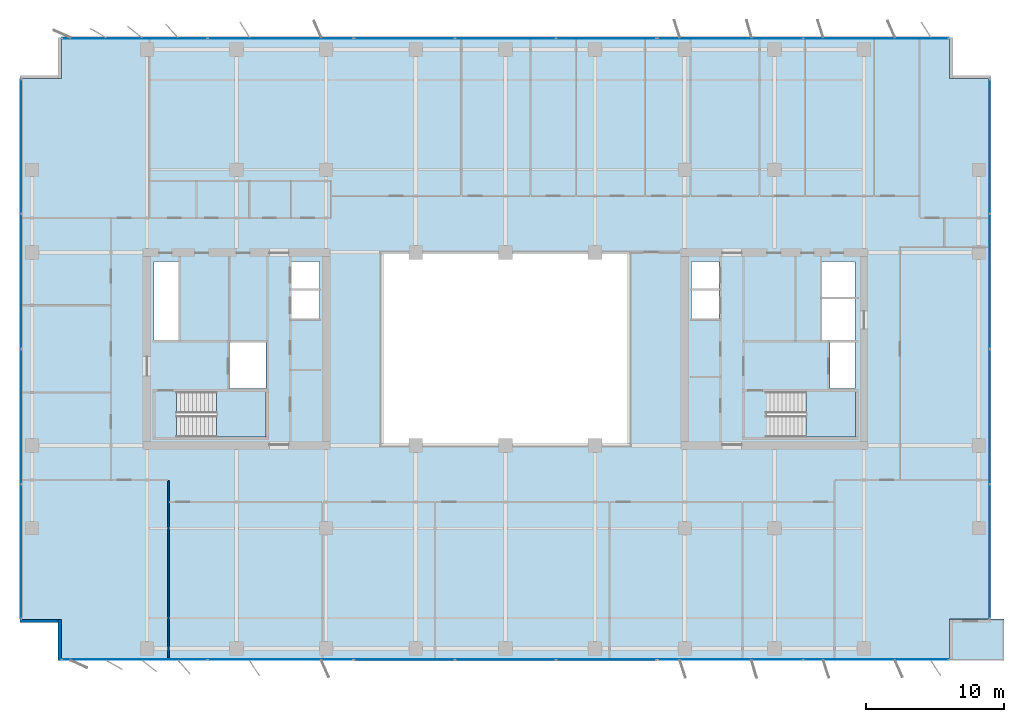
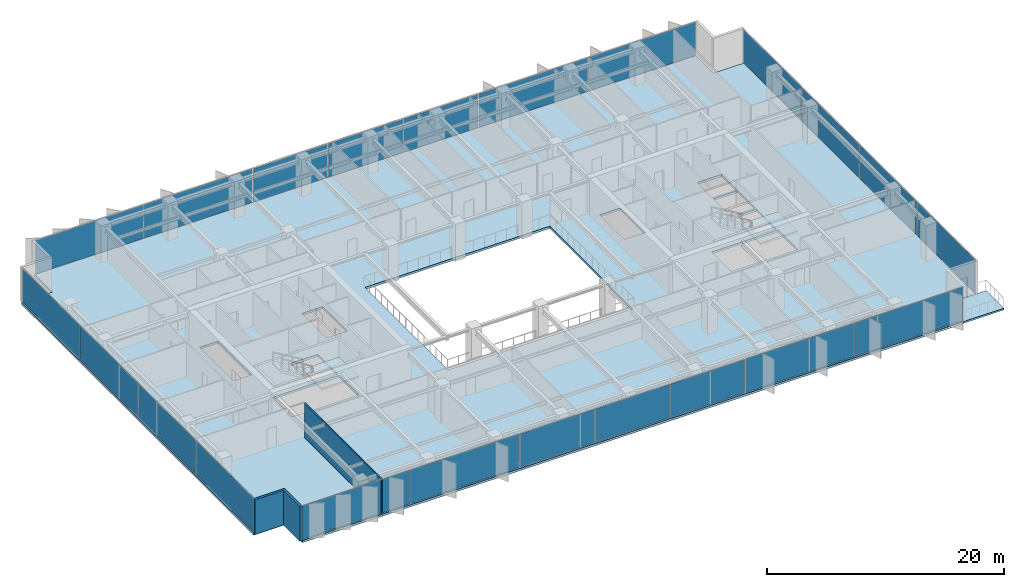
# One storey, part 14 of 22: 22 plates, 4 slabs, 3 walls, 10 elements without a shape of their own.
"""IFC4 building model written with IfcOpenShell, lengths in metres."""

from ifc_helpers import new_model, si_unit, direction, frame, frame_2d, origin, origin_2d, place, context, subcontext, project, spatial, polyline, rectangle, outline, extrude, material, layer, layer_set, type_object, element, aggregate, save


model = new_model("IFC4")

# Units and contexts
model_context = context("Model", 3, precision=1e-05, world=origin(), true_north=direction((0.0, 1.0)))
body_context = subcontext(model_context, "Body", "Model", "MODEL_VIEW")
ifc_project = project(units=[si_unit("LENGTHUNIT", "METRE"), si_unit("AREAUNIT", "SQUARE_METRE"), si_unit("VOLUMEUNIT", "CUBIC_METRE"), si_unit("PLANEANGLEUNIT", "RADIAN"), si_unit("MASSUNIT", "GRAM", prefix="KILO")], contexts=[model_context])

# Site, building, storey
site_placement = place(None, origin())
site = spatial("IfcSite", under=ifc_project, at=site_placement, CompositionType="ELEMENT")
building_placement = place(site_placement, origin())
building = spatial("IfcBuilding", under=site, at=building_placement, Name="Putna Gate Headquarters", CompositionType="ELEMENT")
storey_placement = place(building_placement, frame((0.0, 0.0, 186.0)))
storey = spatial("IfcBuildingStorey", under=building, at=storey_placement, Name="L46", CompositionType="ELEMENT", Elevation=186.0)

# Stair, slab
ifc_material_1 = material(Name="Concrete C40/50", Category="concrete")
stair_type_1 = type_object("IfcStairType", Name="STAIR-ST1", PredefinedType="HALF_TURN_STAIR", material=ifc_material_1)
stair_1_placement = place(storey_placement, origin())
stair_1 = element("IfcStair", 1, at=stair_1_placement, inside=storey, type_object=stair_type_1, Name="L46 West Core Exit Stair ST1", PredefinedType="HALF_TURN_STAIR")
ifc_layer_1 = layer(ifc_material_1, 0.199951171875)
ifc_layer_set_1 = layer_set([ifc_layer_1], Name="Concrete C40/50")
slab_type_1 = type_object("IfcSlabType", Name="LANDING-ST1", PredefinedType="LANDING", material=ifc_layer_set_1)
slab_1_placement = place(storey_placement, frame((0.0, 0.0, 1.699951171875)))
slab_1 = element("IfcSlab", 2, at=slab_1_placement, type_object=slab_type_1, Name="ST1 landing 1", PredefinedType="LANDING", context=body_context, shape_type="SweptSolid", body=[
    extrude(outline(polyline([(18.050048828125, 19.60009765625), (21.64990234375, 19.60009765625), (21.64990234375, 22.89990234375), (18.050048828125, 22.89990234375), (18.050048828125, 19.60009765625)])), origin(), (0.0, 0.0, 1.0), 0.199951171875),
])
aggregate(stair_1, [slab_1])

stair_type_2 = type_object("IfcStairType", Name="STAIR-ST2", PredefinedType="HALF_TURN_STAIR", material=ifc_material_1)
stair_2_placement = place(storey_placement, origin())
stair_2 = element("IfcStair", 3, at=stair_2_placement, inside=storey, type_object=stair_type_2, Name="L46 East Core Exit Stair ST2", PredefinedType="HALF_TURN_STAIR")
ifc_layer_2 = layer(ifc_material_1, 0.199951171875)
ifc_layer_set_2 = layer_set([ifc_layer_2], Name="Concrete C40/50")
slab_type_2 = type_object("IfcSlabType", Name="LANDING-ST2", PredefinedType="LANDING", material=ifc_layer_set_2)
slab_2_placement = place(storey_placement, frame((0.0, 0.0, 1.699951171875)))
slab_2 = element("IfcSlab", 4, at=slab_2_placement, type_object=slab_type_2, Name="ST2 landing 1", PredefinedType="LANDING", context=body_context, shape_type="SweptSolid", body=[
    extrude(outline(polyline([(60.800048828125, 19.60009765625), (64.39990234375, 19.60009765625), (64.39990234375, 22.89990234375), (60.800048828125, 22.89990234375), (60.800048828125, 19.60009765625)])), origin(), (0.0, 0.0, 1.0), 0.199951171875),
])
aggregate(stair_2, [slab_2])

# Curtain wall, plates
ifc_material_2 = material(Name="Anodised bronze aluminium curtain wall", Category="aluminium")
ifc_layer_3 = layer(ifc_material_2, 0.159912109375)
ifc_layer_set_3 = layer_set([ifc_layer_3], Name="Anodised bronze aluminium curtain wall")
curtain_wall_type_1 = type_object("IfcCurtainWallType", Name="CW-SYS-Z3", PredefinedType="USERDEFINED", material=ifc_layer_set_3)
curtain_wall_1_placement = place(storey_placement, origin())
curtain_wall_1 = element("IfcCurtainWall", 5, at=curtain_wall_1_placement, inside=storey, type_object=curtain_wall_type_1, Name="L46 South West Curtain Wall", ObjectType="STICK CURTAIN WALL", PredefinedType="USERDEFINED")
ifc_material_3 = material(Name="Solar-control triple low-E glass", Category="glass")
ifc_layer_4 = layer(ifc_material_3, 0.028076171875)
ifc_layer_set_4 = layer_set([ifc_layer_4], Name="Solar-control triple low-E glass")
plate_type_1 = type_object("IfcPlateType", Name="PAN-CWP-3", PredefinedType="CURTAIN_PANEL", material=ifc_layer_set_4)
plate_1_placement = place(storey_placement, frame((12.1162109375, 3.47998046875, 0.06005859375), z_axis=(0.0, 0.0, 1.0), x_axis=(1.0, 0.0, 0.0)))
plate_1 = element("IfcPlate", 6, at=plate_1_placement, type_object=plate_type_1, Name="CWS-3 panel 1.1", PredefinedType="CURTAIN_PANEL", context=body_context, shape_type="SweptSolid", body=[
    extrude(rectangle(XDim=10.50244140625, YDim=0.028076171875, at=origin_2d()), origin(), (0.0, 0.0, 1.0), 3.451904296875),
])
plate_2_placement = place(storey_placement, frame((22.683837890625, 3.47998046875, 0.06005859375), z_axis=(0.0, 0.0, 1.0), x_axis=(1.0, 0.0, 0.0)))
plate_2 = element("IfcPlate", 7, at=plate_2_placement, type_object=plate_type_1, Name="CWS-3 panel 2.1", PredefinedType="CURTAIN_PANEL", context=body_context, shape_type="SweptSolid", body=[
    extrude(rectangle(XDim=10.50244140625, YDim=0.028076171875, at=origin_2d()), origin(), (0.0, 0.0, 1.0), 3.451904296875),
])
aggregate(curtain_wall_1, [plate_1, plate_2])

curtain_wall_2_placement = place(storey_placement, origin())
curtain_wall_2 = element("IfcCurtainWall", 8, at=curtain_wall_2_placement, inside=storey, type_object=curtain_wall_type_1, Name="L46 South East Curtain Wall", ObjectType="STICK CURTAIN WALL", PredefinedType="USERDEFINED")
plate_3_placement = place(storey_placement, frame((55.316162109375, 3.47998046875, 0.06005859375), z_axis=(0.0, 0.0, 1.0), x_axis=(1.0, 0.0, 0.0)))
plate_3 = element("IfcPlate", 9, at=plate_3_placement, type_object=plate_type_1, Name="CWS-3 panel 1.1", PredefinedType="CURTAIN_PANEL", context=body_context, shape_type="SweptSolid", body=[
    extrude(rectangle(XDim=10.50244140625, YDim=0.028076171875, at=origin_2d()), origin(), (0.0, 0.0, 1.0), 3.451904296875),
])
plate_4_placement = place(storey_placement, frame((65.8837890625, 3.47998046875, 0.06005859375), z_axis=(0.0, 0.0, 1.0), x_axis=(1.0, 0.0, 0.0)))
plate_4 = element("IfcPlate", 10, at=plate_4_placement, type_object=plate_type_1, Name="CWS-3 panel 2.1", PredefinedType="CURTAIN_PANEL", context=body_context, shape_type="SweptSolid", body=[
    extrude(rectangle(XDim=10.50244140625, YDim=0.028076171875, at=origin_2d()), origin(), (0.0, 0.0, 1.0), 3.451904296875),
])
aggregate(curtain_wall_2, [plate_3, plate_4])

curtain_wall_3_placement = place(storey_placement, origin())
curtain_wall_3 = element("IfcCurtainWall", 11, at=curtain_wall_3_placement, inside=storey, type_object=curtain_wall_type_1, Name="L46 North West Curtain Wall", ObjectType="STICK CURTAIN WALL", PredefinedType="USERDEFINED")
plate_5_placement = place(storey_placement, frame((12.1162109375, 48.52001953125, 0.06005859375), z_axis=(0.0, 0.0, 1.0), x_axis=(1.0, 0.0, 0.0)))
plate_5 = element("IfcPlate", 12, at=plate_5_placement, type_object=plate_type_1, Name="CWS-3 panel 1.1", PredefinedType="CURTAIN_PANEL", context=body_context, shape_type="SweptSolid", body=[
    extrude(rectangle(XDim=10.50244140625, YDim=0.028076171875, at=origin_2d()), origin(), (0.0, 0.0, 1.0), 3.451904296875),
])
plate_6_placement = place(storey_placement, frame((22.683837890625, 48.52001953125, 0.06005859375), z_axis=(0.0, 0.0, 1.0), x_axis=(1.0, 0.0, 0.0)))
plate_6 = element("IfcPlate", 13, at=plate_6_placement, type_object=plate_type_1, Name="CWS-3 panel 2.1", PredefinedType="CURTAIN_PANEL", context=body_context, shape_type="SweptSolid", body=[
    extrude(rectangle(XDim=10.50244140625, YDim=0.028076171875, at=origin_2d()), origin(), (0.0, 0.0, 1.0), 3.451904296875),
])
aggregate(curtain_wall_3, [plate_5, plate_6])

curtain_wall_4_placement = place(storey_placement, origin())
curtain_wall_4 = element("IfcCurtainWall", 14, at=curtain_wall_4_placement, inside=storey, type_object=curtain_wall_type_1, Name="L46 North East Curtain Wall", ObjectType="STICK CURTAIN WALL", PredefinedType="USERDEFINED")
plate_7_placement = place(storey_placement, frame((55.316162109375, 48.52001953125, 0.06005859375), z_axis=(0.0, 0.0, 1.0), x_axis=(1.0, 0.0, 0.0)))
plate_7 = element("IfcPlate", 15, at=plate_7_placement, type_object=plate_type_1, Name="CWS-3 panel 1.1", PredefinedType="CURTAIN_PANEL", context=body_context, shape_type="SweptSolid", body=[
    extrude(rectangle(XDim=10.50244140625, YDim=0.028076171875, at=origin_2d()), origin(), (0.0, 0.0, 1.0), 3.451904296875),
])
plate_8_placement = place(storey_placement, frame((65.8837890625, 48.52001953125, 0.06005859375), z_axis=(0.0, 0.0, 1.0), x_axis=(1.0, 0.0, 0.0)))
plate_8 = element("IfcPlate", 16, at=plate_8_placement, type_object=plate_type_1, Name="CWS-3 panel 2.1", PredefinedType="CURTAIN_PANEL", context=body_context, shape_type="SweptSolid", body=[
    extrude(rectangle(XDim=10.50244140625, YDim=0.028076171875, at=origin_2d()), origin(), (0.0, 0.0, 1.0), 3.451904296875),
])
aggregate(curtain_wall_4, [plate_7, plate_8])

curtain_wall_5_placement = place(storey_placement, origin())
curtain_wall_5 = element("IfcCurtainWall", 17, at=curtain_wall_5_placement, inside=storey, type_object=curtain_wall_type_1, Name="L46 West Curtain Wall", ObjectType="STICK CURTAIN WALL", PredefinedType="USERDEFINED")
plate_9_placement = place(storey_placement, frame((3.8798828125, 11.316162109375, 0.06005859375), z_axis=(0.0, 0.0, 1.0), x_axis=(0.0, 1.0, 0.0)))
plate_9 = element("IfcPlate", 18, at=plate_9_placement, type_object=plate_type_1, Name="CWS-3 panel 1.1", PredefinedType="CURTAIN_PANEL", context=body_context, shape_type="SweptSolid", body=[
    extrude(rectangle(XDim=9.702392578125, YDim=0.028076171875, at=origin_2d()), origin(), (0.0, 0.0, 1.0), 3.451904296875),
])
plate_10_placement = place(storey_placement, frame((3.8798828125, 21.10009765625, 0.06005859375), z_axis=(0.0, 0.0, 1.0), x_axis=(0.0, 1.0, 0.0)))
plate_10 = element("IfcPlate", 19, at=plate_10_placement, type_object=plate_type_1, Name="CWS-3 panel 2.1", PredefinedType="CURTAIN_PANEL", context=body_context, shape_type="SweptSolid", body=[
    extrude(rectangle(XDim=9.735107421875, YDim=0.028076171875, at=origin_2d()), origin(), (0.0, 0.0, 1.0), 3.451904296875),
])
plate_11_placement = place(storey_placement, frame((3.8798828125, 30.89990234375, 0.06005859375), z_axis=(0.0, 0.0, 1.0), x_axis=(0.0, 1.0, 0.0)))
plate_11 = element("IfcPlate", 20, at=plate_11_placement, type_object=plate_type_1, Name="CWS-3 panel 3.1", PredefinedType="CURTAIN_PANEL", context=body_context, shape_type="SweptSolid", body=[
    extrude(rectangle(XDim=9.735107421875, YDim=0.028076171875, at=origin_2d()), origin(), (0.0, 0.0, 1.0), 3.451904296875),
])
plate_12_placement = place(storey_placement, frame((3.8798828125, 40.683837890625, 0.06005859375), z_axis=(0.0, 0.0, 1.0), x_axis=(0.0, 1.0, 0.0)))
plate_12 = element("IfcPlate", 21, at=plate_12_placement, type_object=plate_type_1, Name="CWS-3 panel 4.1", PredefinedType="CURTAIN_PANEL", context=body_context, shape_type="SweptSolid", body=[
    extrude(rectangle(XDim=9.702392578125, YDim=0.028076171875, at=origin_2d()), origin(), (0.0, 0.0, 1.0), 3.451904296875),
])
aggregate(curtain_wall_5, [plate_9, plate_10, plate_11, plate_12])

curtain_wall_6_placement = place(storey_placement, origin())
curtain_wall_6 = element("IfcCurtainWall", 22, at=curtain_wall_6_placement, inside=storey, type_object=curtain_wall_type_1, Name="L46 East Curtain Wall", ObjectType="STICK CURTAIN WALL", PredefinedType="USERDEFINED")
plate_13_placement = place(storey_placement, frame((74.1201171875, 11.316162109375, 0.06005859375), z_axis=(0.0, 0.0, 1.0), x_axis=(0.0, 1.0, 0.0)))
plate_13 = element("IfcPlate", 23, at=plate_13_placement, type_object=plate_type_1, Name="CWS-3 panel 1.1", PredefinedType="CURTAIN_PANEL", context=body_context, shape_type="SweptSolid", body=[
    extrude(rectangle(XDim=9.702392578125, YDim=0.028076171875, at=origin_2d()), origin(), (0.0, 0.0, 1.0), 3.451904296875),
])
plate_14_placement = place(storey_placement, frame((74.1201171875, 21.10009765625, 0.06005859375), z_axis=(0.0, 0.0, 1.0), x_axis=(0.0, 1.0, 0.0)))
plate_14 = element("IfcPlate", 24, at=plate_14_placement, type_object=plate_type_1, Name="CWS-3 panel 2.1", PredefinedType="CURTAIN_PANEL", context=body_context, shape_type="SweptSolid", body=[
    extrude(rectangle(XDim=9.735107421875, YDim=0.028076171875, at=origin_2d()), origin(), (0.0, 0.0, 1.0), 3.451904296875),
])
plate_15_placement = place(storey_placement, frame((74.1201171875, 30.89990234375, 0.06005859375), z_axis=(0.0, 0.0, 1.0), x_axis=(0.0, 1.0, 0.0)))
plate_15 = element("IfcPlate", 25, at=plate_15_placement, type_object=plate_type_1, Name="CWS-3 panel 3.1", PredefinedType="CURTAIN_PANEL", context=body_context, shape_type="SweptSolid", body=[
    extrude(rectangle(XDim=9.735107421875, YDim=0.028076171875, at=origin_2d()), origin(), (0.0, 0.0, 1.0), 3.451904296875),
])
plate_16_placement = place(storey_placement, frame((74.1201171875, 40.683837890625, 0.06005859375), z_axis=(0.0, 0.0, 1.0), x_axis=(0.0, 1.0, 0.0)))
plate_16 = element("IfcPlate", 26, at=plate_16_placement, type_object=plate_type_1, Name="CWS-3 panel 4.1", PredefinedType="CURTAIN_PANEL", context=body_context, shape_type="SweptSolid", body=[
    extrude(rectangle(XDim=9.702392578125, YDim=0.028076171875, at=origin_2d()), origin(), (0.0, 0.0, 1.0), 3.451904296875),
])
aggregate(curtain_wall_6, [plate_13, plate_14, plate_15, plate_16])

ifc_layer_5 = layer(ifc_material_2, 0.179931640625)
ifc_layer_set_5 = layer_set([ifc_layer_5], Name="Anodised bronze aluminium curtain wall")
curtain_wall_type_2 = type_object("IfcCurtainWallType", Name="CW-SYS-ATR", PredefinedType="USERDEFINED", material=ifc_layer_set_5)
curtain_wall_7_placement = place(storey_placement, origin())
curtain_wall_7 = element("IfcCurtainWall", 27, at=curtain_wall_7_placement, inside=storey, type_object=curtain_wall_type_2, Name="L46 South Atrium Clear Glazing", ObjectType="ATRIUM GLAZING", PredefinedType="USERDEFINED")
ifc_material_4 = material(Name="Clear low-iron triple glazing", Category="glass")
ifc_layer_6 = layer(ifc_material_4, 0.0400390625)
ifc_layer_set_6 = layer_set([ifc_layer_6], Name="Clear low-iron triple glazing")
plate_type_2 = type_object("IfcPlateType", Name="PAN-CWP-AT", PredefinedType="CURTAIN_PANEL", material=ifc_layer_set_6)
plate_17_placement = place(storey_placement, frame((31.68408203125, 3.47998046875, 0.06982421875), z_axis=(0.0, 0.0, 1.0), x_axis=(1.0, 0.0, 0.0)))
plate_17 = element("IfcPlate", 28, at=plate_17_placement, type_object=plate_type_2, Name="CWS-AT panel 1.1", PredefinedType="CURTAIN_PANEL", context=body_context, shape_type="SweptSolid", body=[
    extrude(rectangle(XDim=7.228271484375, YDim=0.0400390625, at=origin_2d()), origin(), (0.0, 0.0, 1.0), 3.431884765625),
])
plate_18_placement = place(storey_placement, frame((39.0, 3.47998046875, 0.06982421875), z_axis=(0.0, 0.0, 1.0), x_axis=(1.0, 0.0, 0.0)))
plate_18 = element("IfcPlate", 29, at=plate_18_placement, type_object=plate_type_2, Name="CWS-AT panel 2.1", PredefinedType="CURTAIN_PANEL", context=body_context, shape_type="SweptSolid", body=[
    extrude(rectangle(XDim=7.263427734375, YDim=0.0400390625, at=origin_2d()), origin(), (0.0, 0.0, 1.0), 3.431884765625),
])
plate_19_placement = place(storey_placement, frame((46.31591796875, 3.47998046875, 0.06982421875), z_axis=(0.0, 0.0, 1.0), x_axis=(1.0, 0.0, 0.0)))
plate_19 = element("IfcPlate", 30, at=plate_19_placement, type_object=plate_type_2, Name="CWS-AT panel 3.1", PredefinedType="CURTAIN_PANEL", context=body_context, shape_type="SweptSolid", body=[
    extrude(rectangle(XDim=7.228271484375, YDim=0.0400390625, at=origin_2d()), origin(), (0.0, 0.0, 1.0), 3.431884765625),
])
aggregate(curtain_wall_7, [plate_17, plate_18, plate_19])

curtain_wall_8_placement = place(storey_placement, origin())
curtain_wall_8 = element("IfcCurtainWall", 31, at=curtain_wall_8_placement, inside=storey, type_object=curtain_wall_type_2, Name="L46 North Atrium Clear Glazing", ObjectType="ATRIUM GLAZING", PredefinedType="USERDEFINED")
plate_20_placement = place(storey_placement, frame((31.68408203125, 48.52001953125, 0.06982421875), z_axis=(0.0, 0.0, 1.0), x_axis=(1.0, 0.0, 0.0)))
plate_20 = element("IfcPlate", 32, at=plate_20_placement, type_object=plate_type_2, Name="CWS-AT panel 1.1", PredefinedType="CURTAIN_PANEL", context=body_context, shape_type="SweptSolid", body=[
    extrude(rectangle(XDim=7.228271484375, YDim=0.0400390625, at=origin_2d()), origin(), (0.0, 0.0, 1.0), 3.431884765625),
])
plate_21_placement = place(storey_placement, frame((39.0, 48.52001953125, 0.06982421875), z_axis=(0.0, 0.0, 1.0), x_axis=(1.0, 0.0, 0.0)))
plate_21 = element("IfcPlate", 33, at=plate_21_placement, type_object=plate_type_2, Name="CWS-AT panel 2.1", PredefinedType="CURTAIN_PANEL", context=body_context, shape_type="SweptSolid", body=[
    extrude(rectangle(XDim=7.263427734375, YDim=0.0400390625, at=origin_2d()), origin(), (0.0, 0.0, 1.0), 3.431884765625),
])
plate_22_placement = place(storey_placement, frame((46.31591796875, 48.52001953125, 0.06982421875), z_axis=(0.0, 0.0, 1.0), x_axis=(1.0, 0.0, 0.0)))
plate_22 = element("IfcPlate", 34, at=plate_22_placement, type_object=plate_type_2, Name="CWS-AT panel 3.1", PredefinedType="CURTAIN_PANEL", context=body_context, shape_type="SweptSolid", body=[
    extrude(rectangle(XDim=7.228271484375, YDim=0.0400390625, at=origin_2d()), origin(), (0.0, 0.0, 1.0), 3.431884765625),
])
aggregate(curtain_wall_8, [plate_20, plate_21, plate_22])

# Slabs
ifc_layer_7 = layer(ifc_material_1, 0.179931640625)
ifc_layer_set_7 = layer_set([ifc_layer_7], Name="Concrete C40/50")
slab_type_3 = type_object("IfcSlabType", Name="SLAB-TERRACE-180", PredefinedType="FLOOR", material=ifc_layer_set_7)
slab_3_placement = place(storey_placement, frame((0.0, 0.0, -0.179931640625)))
element("IfcSlab", 35, at=slab_3_placement, inside=storey, type_object=slab_type_3, Name="L46 Spiral Sky-Garden Terrace Slab (SE)", PredefinedType="FLOOR", context=body_context, shape_type="SweptSolid", body=[
    extrude(outline(polyline([(71.19189453125, 3.39990234375), (75.14990234375, 3.39990234375), (75.14990234375, 6.407958984375), (71.19189453125, 6.407958984375), (71.19189453125, 3.39990234375)])), origin(), (0.0, 0.0, 1.0), 0.179931640625),
])
ifc_layer_8 = layer(ifc_material_1, 0.22802734375)
ifc_layer_set_8 = layer_set([ifc_layer_8], Name="Concrete C40/50")
slab_type_4 = type_object("IfcSlabType", Name="SLAB-Z3-228", PredefinedType="FLOOR", material=ifc_layer_set_8)
slab_4_placement = place(storey_placement, frame((0.0, 0.0, -0.22802734375)))
element("IfcSlab", 36, at=slab_4_placement, inside=storey, type_object=slab_type_4, Name="L46 Composite Floor Slab", PredefinedType="FLOOR", context=body_context, shape_type="SweptSolid", body=[
    extrude(outline(polyline([(6.800048828125, 3.39990234375), (71.199951171875, 3.39990234375), (71.199951171875, 6.39990234375), (74.199951171875, 6.39990234375), (74.199951171875, 45.60009765625), (71.199951171875, 45.60009765625), (71.199951171875, 48.60009765625), (6.800048828125, 48.60009765625), (6.800048828125, 45.60009765625), (3.800048828125, 45.60009765625), (3.800048828125, 6.39990234375), (6.800048828125, 6.39990234375), (6.800048828125, 3.39990234375)]), holes=[polyline([(15.1650390625, 19.60009765625), (21.64990234375, 19.60009765625), (21.64990234375, 22.89990234375), (15.1650390625, 22.89990234375), (15.1650390625, 19.60009765625)]), polyline([(57.9150390625, 19.60009765625), (64.39990234375, 19.60009765625), (64.39990234375, 22.89990234375), (57.9150390625, 22.89990234375), (57.9150390625, 19.60009765625)]), polyline([(13.52001953125, 26.659912109375), (15.280029296875, 26.659912109375), (15.280029296875, 32.35009765625), (13.52001953125, 32.35009765625), (13.52001953125, 26.659912109375)]), polyline([(61.969970703125, 29.780029296875), (64.35009765625, 29.780029296875), (64.35009765625, 32.35009765625), (61.969970703125, 32.35009765625), (61.969970703125, 29.780029296875)]), polyline([(18.97998046875, 23.1201171875), (21.6201171875, 23.1201171875), (21.6201171875, 26.4599609375), (18.97998046875, 26.4599609375), (18.97998046875, 23.1201171875)]), polyline([(62.52001953125, 23.1201171875), (64.35009765625, 23.1201171875), (64.35009765625, 26.4599609375), (62.52001953125, 26.4599609375), (62.52001953125, 23.1201171875)]), polyline([(61.969970703125, 26.659912109375), (64.35009765625, 26.659912109375), (64.35009765625, 29.6201171875), (61.969970703125, 29.6201171875), (61.969970703125, 26.659912109375)]), polyline([(23.5, 28.199951171875), (25.5, 28.199951171875), (25.5, 32.35009765625), (23.5, 32.35009765625), (23.5, 28.199951171875)]), polyline([(52.47998046875, 28.199951171875), (54.5, 28.199951171875), (54.5, 32.35009765625), (52.47998046875, 32.35009765625), (52.47998046875, 28.199951171875)]), polyline([(30.0, 19.0), (48.0, 19.0), (48.0, 33.0), (30.0, 33.0), (30.0, 19.0)])]), origin(), (0.0, 0.0, 1.0), 0.22802734375),
])

# Walls
ifc_material_5 = material(Name="Precast concrete C40/50", Category="concrete")
ifc_layer_9 = layer(ifc_material_5, 0.239990234375)
ifc_layer_set_9 = layer_set([ifc_layer_9], Name="Precast concrete C40/50")
wall_type_1 = type_object("IfcWallType", Name="WALL-EXT-TERR-240", PredefinedType="STANDARD", material=ifc_layer_set_9)
for number, where, z_axis, x_axis, name in (
    (37, (6.679931640625, 3.39990234375, 0.0), (0.0, 0.0, 1.0), (0.0, 1.0, 0.0), "L46 Corner Notch Return Wall SW-V"),
    (38, (6.800048828125, 6.280029296875, 0.0), (0.0, 0.0, 1.0), (-1.0, 0.0, 0.0), "L46 Corner Notch Return Wall SW-H"),
):
    element("IfcWall", number, at=place(storey_placement, frame(where, z_axis=z_axis, x_axis=x_axis)), inside=storey, type_object=wall_type_1, Name=name, PredefinedType="STANDARD", context=body_context, shape_type="SweptSolid", body=[
        extrude(rectangle(XDim=3.0, YDim=0.239990234375, at=frame_2d((1.5, 0.0))), origin(), (0.0, 0.0, 1.0), 3.572021484375),
    ])
ifc_material_6 = material(Name="Acoustic gypsum board on metal stud")
ifc_layer_10 = layer(ifc_material_6, 0.1201171875)
ifc_layer_set_10 = layer_set([ifc_layer_10], Name="Acoustic gypsum board on metal stud")
wall_type_2 = type_object("IfcWallType", Name="WALL-PART-120", PredefinedType="PARTITIONING", material=ifc_layer_set_10)
wall_placement = place(storey_placement, frame((14.5771484375, 3.419921875, 0.0), z_axis=(0.0, 0.0, 1.0), x_axis=(0.0, 1.0, 0.0)))
element("IfcWall", 39, at=wall_placement, inside=storey, type_object=wall_type_2, Name="L46 Interior Wall PART-L46-SB-DIV-01", PredefinedType="PARTITIONING", context=body_context, shape_type="SweptSolid", body=[
    extrude(rectangle(XDim=13.02001953125, YDim=0.1201171875, at=frame_2d((6.510009765625, 0.0))), origin(), (0.0, 0.0, 1.0), 3.572021484375),
])

save(model, "model.ifc")
